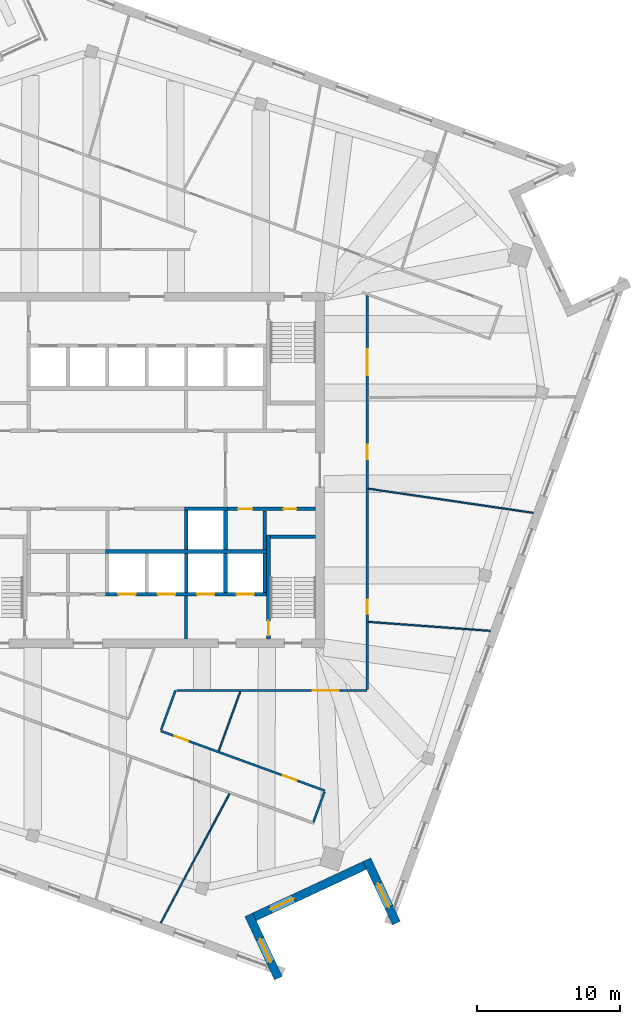
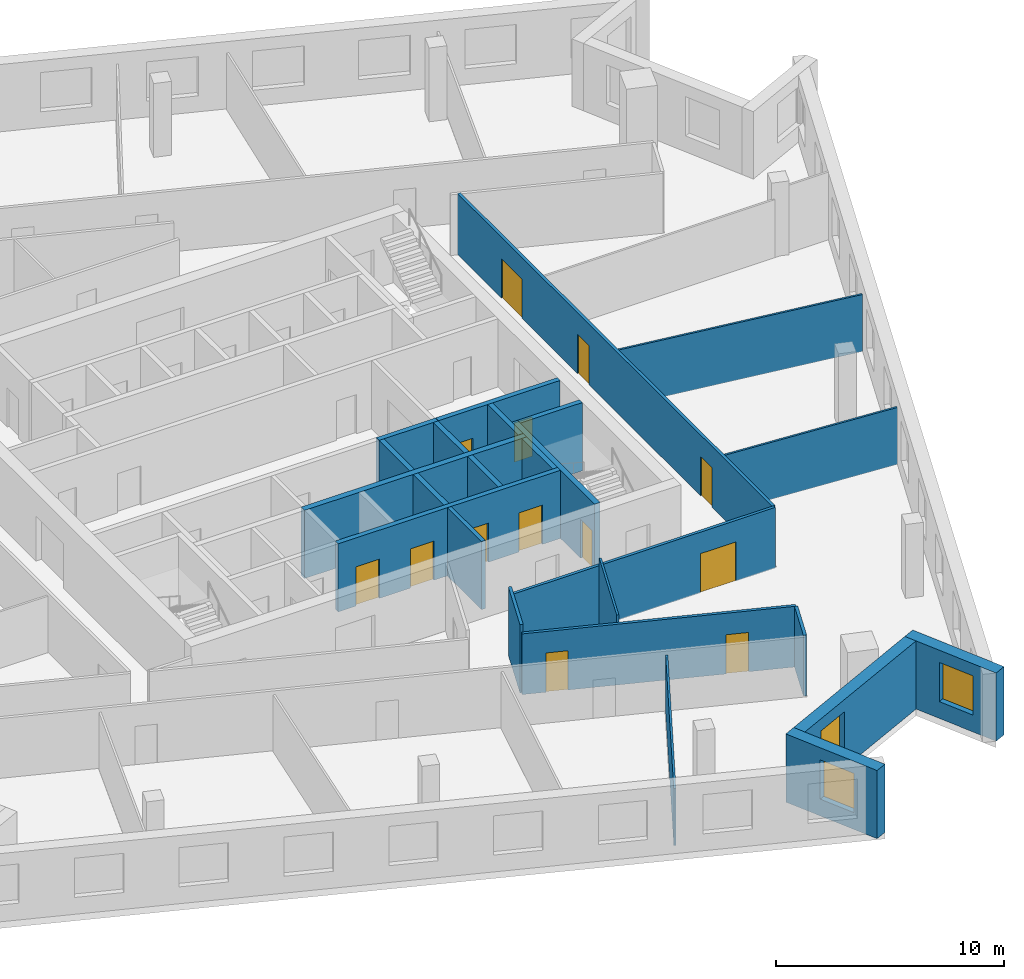
# One storey, part 7 of 13: 25 walls, 13 doors, 3 windows, 16 openings.
"""IFC4 building model written with IfcOpenShell, lengths in metres."""

from ifc_helpers import new_model, si_unit, direction, frame, frame_2d, origin, place, context, subcontext, project, spatial, rectangle, extrude, material, layer, layer_set, type_object, element, fill, save


model = new_model("IFC4")

# Units and contexts
model_context = context("Model", 3, precision=1e-05, world=origin(), true_north=direction((0.0, 1.0)))
body_context = subcontext(model_context, "Body", "Model", "MODEL_VIEW")
ifc_project = project(units=[si_unit("LENGTHUNIT", "METRE"), si_unit("AREAUNIT", "SQUARE_METRE"), si_unit("VOLUMEUNIT", "CUBIC_METRE"), si_unit("PLANEANGLEUNIT", "RADIAN"), si_unit("MASSUNIT", "GRAM", prefix="KILO")], contexts=[model_context])

# Site, building, storey
site_placement = place(None, origin())
site = spatial("IfcSite", under=ifc_project, at=site_placement, CompositionType="ELEMENT")
building_placement = place(site_placement, origin())
building = spatial("IfcBuilding", under=site, at=building_placement, Name="Dilmun Exchange Tower", CompositionType="ELEMENT")
storey_placement = place(building_placement, frame((0.0, 0.0, 308.5)))
storey = spatial("IfcBuildingStorey", under=building, at=storey_placement, Name="L73", CompositionType="ELEMENT", Elevation=308.5)

# Walls
ifc_material_1 = material(Name="Concrete C40/50", Category="concrete")
ifc_layer_1 = layer(ifc_material_1, 0.199951171875)
ifc_layer_set_1 = layer_set([ifc_layer_1], Name="Concrete C40/50")
wall_type_1 = type_object("IfcWallType", Name="Core partition wall 200", PredefinedType="PARTITIONING", material=ifc_layer_set_1)
wall_1_placement = place(storey_placement, frame((2.75, -11.794921875, 0.0), z_axis=(0.0, 0.0, 1.0), x_axis=(0.0, 1.0, 0.0)))
element("IfcWall", 1, at=wall_1_placement, inside=storey, type_object=wall_type_1, Name="L73 core partition wall 02", PredefinedType="PARTITIONING", context=body_context, shape_type="SweptSolid", body=[
    extrude(rectangle(XDim=2.989990234375, YDim=0.199951171875, at=frame_2d((1.4951171875, 0.0))), origin(), (0.0, 0.0, 1.0), 3.64990234375),
])
ifc_layer_2 = layer(ifc_material_1, 0.25)
ifc_layer_set_2 = layer_set([ifc_layer_2], Name="Concrete C40/50")
wall_type_2 = type_object("IfcWallType", Name="Core partition wall 250", PredefinedType="PARTITIONING", material=ifc_layer_set_2)
wall_2_placement = place(storey_placement, frame((8.25, -5.544921875, 0.0), z_axis=(0.0, 0.0, 1.0), x_axis=(0.0, 1.0, 0.0)))
element("IfcWall", 2, at=wall_2_placement, inside=storey, type_object=wall_type_2, Name="L73 core partition wall 09", PredefinedType="PARTITIONING", context=body_context, shape_type="SweptSolid", body=[
    extrude(rectangle(XDim=2.68994140625, YDim=0.25, at=frame_2d((1.344970703125, 0.0))), origin(), (0.0, 0.0, 1.0), 3.64990234375),
])

# Wall, openings, doors
wall_3_placement = place(storey_placement, frame((5.6298828125, -2.72509765625, 0.0), z_axis=(0.0, 0.0, 1.0), x_axis=(1.0, 0.0, 0.0)))
wall_3 = element("IfcWall", 3, at=wall_3_placement, inside=storey, type_object=wall_type_2, Name="L73 core partition wall 11", PredefinedType="PARTITIONING", context=body_context, shape_type="SweptSolid", body=[
    extrude(rectangle(XDim=6.1650390625, YDim=0.25, at=frame_2d((3.08251953125, 0.0))), origin(), (0.0, 0.0, 1.0), 3.64990234375),
])
opening_1_placement = place(wall_3_placement, frame((0.7451171875, 0.0, 0.0)))
opening_1 = element("IfcOpeningElement", 4, at=opening_1_placement, cuts=wall_3, Name="Opening CD4", PredefinedType="OPENING", context=body_context, shape_type="SweptSolid", body=[
    extrude(rectangle(XDim=1.0, YDim=2.10009765625, at=frame_2d((0.5, 1.050048828125))), frame((0.0, 0.135009765625, 0.0), z_axis=(0.0, -1.0, 0.0), x_axis=(1.0, 0.0, 0.0)), (0.0, 0.0, 1.0), 0.27001953125),
])
opening_2_placement = place(wall_3_placement, frame((3.919921875, 0.0, 0.0)))
opening_2 = element("IfcOpeningElement", 5, at=opening_2_placement, cuts=wall_3, Name="Opening CD6", PredefinedType="OPENING", context=body_context, shape_type="SweptSolid", body=[
    extrude(rectangle(XDim=0.89990234375, YDim=2.10009765625, at=frame_2d((0.449951171875, 1.050048828125))), frame((0.0, 0.135009765625, 0.0), z_axis=(0.0, -1.0, 0.0), x_axis=(1.0, 0.0, 0.0)), (0.0, 0.0, 1.0), 0.27001953125),
])
ifc_material_2 = material(Name="Fire-rated steel door set", Category="steel")
door_type_1 = type_object("IfcDoorType", Name="Core room door 1000x2100", OperationType="SINGLE_SWING_LEFT", PredefinedType="DOOR", material=ifc_material_2)
door_1_placement = place(opening_1_placement, origin())
door_1 = element("IfcDoor", 6, at=door_1_placement, inside=storey, type_object=door_type_1, Name="L73 door Cleaners' store", OperationType="SINGLE_SWING_RIGHT", OverallHeight=2.10009765625, OverallWidth=1.0, PredefinedType="DOOR", context=body_context, shape_type="SweptSolid", body=[
    extrude(rectangle(XDim=1.0, YDim=2.10009765625, at=frame_2d((0.5, 1.050048828125))), frame((0.0, 0.02490234375, 0.0), z_axis=(0.0, -1.0, 0.0), x_axis=(1.0, 0.0, 0.0)), (0.0, 0.0, 1.0), 0.050048828125),
])
fill(opening_1, door_1)
door_type_2 = type_object("IfcDoorType", Name="Core room door 900x2100", OperationType="SINGLE_SWING_LEFT", PredefinedType="DOOR", material=ifc_material_2)
door_2_placement = place(opening_2_placement, origin())
door_2 = element("IfcDoor", 7, at=door_2_placement, inside=storey, type_object=door_type_2, Name="L73 door Comms riser", OperationType="SINGLE_SWING_RIGHT", OverallHeight=2.10009765625, OverallWidth=0.89990234375, PredefinedType="DOOR", context=body_context, shape_type="SweptSolid", body=[
    extrude(rectangle(XDim=0.89990234375, YDim=2.10009765625, at=frame_2d((0.449951171875, 1.050048828125))), frame((0.0, 0.02490234375, 0.0), z_axis=(0.0, -1.0, 0.0), x_axis=(1.0, 0.0, 0.0)), (0.0, 0.0, 1.0), 0.050048828125),
])
fill(opening_2, door_2)

ifc_material_3 = material(Name="Corridor wall 150")
ifc_layer_3 = layer(ifc_material_3, 0.14990234375)
ifc_layer_set_3 = layer_set([ifc_layer_3], Name="Corridor wall 150")
wall_type_3 = type_object("IfcWallType", Name="Corridor wall 150", PredefinedType="PARTITIONING", material=ifc_layer_set_3)
wall_4_placement = place(storey_placement, frame((0.97802734375, -18.22998046875, 0.0), z_axis=(0.0, 0.0, 1.0), x_axis=(0.939684094149, -0.34204356916, 0.0)))
wall_4 = element("IfcWall", 8, at=wall_4_placement, inside=storey, type_object=wall_type_3, Name="Corridor wall", PredefinedType="PARTITIONING", context=body_context, shape_type="SweptSolid", body=[
    extrude(rectangle(XDim=12.197509765625, YDim=0.14990234375, at=frame_2d((6.0986328125, 0.0))), origin(), (0.0, 0.0, 1.0), 3.25),
])
opening_3_placement = place(wall_4_placement, frame((1.05029296875, 0.0, 0.0)))
opening_3 = element("IfcOpeningElement", 9, at=opening_3_placement, cuts=wall_4, Name="Opening TF72-D13", PredefinedType="OPENING", context=body_context, shape_type="SweptSolid", body=[
    extrude(rectangle(XDim=1.0, YDim=2.10009765625, at=frame_2d((0.5, 1.050048828125))), frame((0.0, 0.0849609375, 0.0), z_axis=(0.0, -1.0, 0.0), x_axis=(1.0, 0.0, 0.0)), (0.0, 0.0, 1.0), 0.169921875),
])
opening_4_placement = place(wall_4_placement, frame((9.08251953125, 0.0, 0.0)))
opening_4 = element("IfcOpeningElement", 10, at=opening_4_placement, cuts=wall_4, Name="Opening TF72-D16", PredefinedType="OPENING", context=body_context, shape_type="SweptSolid", body=[
    extrude(rectangle(XDim=1.0, YDim=2.10009765625, at=frame_2d((0.5, 1.050048828125))), frame((0.0, 0.0849609375, 0.0), z_axis=(0.0, -1.0, 0.0), x_axis=(1.0, 0.0, 0.0)), (0.0, 0.0, 1.0), 0.169921875),
])
ifc_material_4 = material(Name="Fire door 1000 x 2100")
door_type_3 = type_object("IfcDoorType", Name="Fire door 1000 x 2100", OperationType="NOTDEFINED", PredefinedType="DOOR", material=ifc_material_4)
door_3_placement = place(opening_3_placement, origin())
door_3 = element("IfcDoor", 11, at=door_3_placement, inside=storey, type_object=door_type_3, Name="Door TF72-D13", OperationType="SINGLE_SWING_LEFT", OverallHeight=2.10009765625, OverallWidth=1.0, PredefinedType="DOOR", context=body_context, shape_type="SweptSolid", body=[
    extrude(rectangle(XDim=1.0, YDim=2.10009765625, at=frame_2d((0.5, 1.050048828125))), frame((0.0, 0.02490234375, 0.0), z_axis=(0.0, -1.0, 0.0), x_axis=(1.0, 0.0, 0.0)), (0.0, 0.0, 1.0), 0.050048828125),
])
fill(opening_3, door_3)
door_4_placement = place(opening_4_placement, origin())
door_4 = element("IfcDoor", 12, at=door_4_placement, inside=storey, type_object=door_type_3, Name="Door TF72-D16", OperationType="SINGLE_SWING_RIGHT", OverallHeight=2.10009765625, OverallWidth=1.0, PredefinedType="DOOR", context=body_context, shape_type="SweptSolid", body=[
    extrude(rectangle(XDim=1.0, YDim=2.10009765625, at=frame_2d((0.5, 1.050048828125))), frame((0.0, 0.02490234375, 0.0), z_axis=(0.0, -1.0, 0.0), x_axis=(1.0, 0.0, 0.0)), (0.0, 0.0, 1.0), 0.050048828125),
])
fill(opening_4, door_4)

# Wall
wall_5_placement = place(storey_placement, frame((1.003662109375, -18.159423828125, 0.0), z_axis=(0.0, 0.0, 1.0), x_axis=(0.342023405877, 0.939691433308, 0.0)))
element("IfcWall", 13, at=wall_5_placement, inside=storey, type_object=wall_type_3, Name="Corridor wall", PredefinedType="PARTITIONING", context=body_context, shape_type="SweptSolid", body=[
    extrude(rectangle(XDim=2.9365234375, YDim=0.14990234375, at=frame_2d((1.46826171875, 0.0))), origin(), (0.0, 0.0, 1.0), 3.64990234375),
])

# Wall, opening, door
wall_6_placement = place(storey_placement, frame((2.114990234375, -15.39990234375, 0.0), z_axis=(0.0, 0.0, 1.0), x_axis=(1.0, 0.0, 0.0)))
wall_6 = element("IfcWall", 14, at=wall_6_placement, inside=storey, type_object=wall_type_3, Name="Corridor wall", PredefinedType="PARTITIONING", context=body_context, shape_type="SweptSolid", body=[
    extrude(rectangle(XDim=13.284912109375, YDim=0.14990234375, at=frame_2d((6.642578125, 0.0))), origin(), (0.0, 0.0, 1.0), 3.25),
])
opening_5_placement = place(wall_6_placement, frame((9.485595703125, 0.0, 0.0)))
opening_5 = element("IfcOpeningElement", 15, at=opening_5_placement, cuts=wall_6, Name="Opening TF72-D15", PredefinedType="OPENING", context=body_context, shape_type="SweptSolid", body=[
    extrude(rectangle(XDim=1.800048828125, YDim=2.10009765625, at=frame_2d((0.89990234375, 1.050048828125))), frame((0.0, 0.0849609375, 0.0), z_axis=(0.0, -1.0, 0.0), x_axis=(1.0, 0.0, 0.0)), (0.0, 0.0, 1.0), 0.169921875),
])
ifc_material_5 = material(Name="Fire door pair 1800 x 2100")
door_type_4 = type_object("IfcDoorType", Name="Fire door pair 1800 x 2100", OperationType="NOTDEFINED", PredefinedType="DOOR", material=ifc_material_5)
door_5_placement = place(opening_5_placement, frame((1.800048828125, 0.0, 0.0), z_axis=(0.0, 0.0, 1.0), x_axis=(-1.0, 0.0, 0.0)))
door_5 = element("IfcDoor", 16, at=door_5_placement, inside=storey, type_object=door_type_4, Name="Door TF72-D15", OperationType="DOUBLE_DOOR_SINGLE_SWING", OverallHeight=2.10009765625, OverallWidth=1.800048828125, PredefinedType="DOOR", context=body_context, shape_type="SweptSolid", body=[
    extrude(rectangle(XDim=1.800048828125, YDim=2.10009765625, at=frame_2d((0.89990234375, 1.050048828125))), frame((0.0, 0.02490234375, 0.0), z_axis=(0.0, -1.0, 0.0), x_axis=(1.0, 0.0, 0.0)), (0.0, 0.0, 1.0), 0.050048828125),
])
fill(opening_5, door_5)

# Wall
wall_7_placement = place(storey_placement, frame((11.644775390625, -24.58642578125, 0.0), z_axis=(0.0, 0.0, 1.0), x_axis=(0.342056723843, 0.93967930576, 0.0)))
element("IfcWall", 17, at=wall_7_placement, inside=storey, type_object=wall_type_3, Name="Corridor wall", PredefinedType="PARTITIONING", context=body_context, shape_type="SweptSolid", body=[
    extrude(rectangle(XDim=2.249755859375, YDim=0.14990234375, at=frame_2d((1.125, 0.0))), origin(), (0.0, 0.0, 1.0), 3.25),
])

# Wall, openings, doors
wall_8_placement = place(storey_placement, frame((15.39990234375, -15.324951171875, 0.0), z_axis=(0.0, 0.0, 1.0), x_axis=(0.0, 1.0, 0.0)))
wall_8 = element("IfcWall", 18, at=wall_8_placement, inside=storey, type_object=wall_type_3, Name="Corridor wall", PredefinedType="PARTITIONING", context=body_context, shape_type="SweptSolid", body=[
    extrude(rectangle(XDim=27.593017578125, YDim=0.14990234375, at=frame_2d((13.79638671875, 0.0))), origin(), (0.0, 0.0, 1.0), 3.25),
])
opening_6_placement = place(wall_8_placement, frame((5.266845703125, 0.0, 0.0)))
opening_6 = element("IfcOpeningElement", 19, at=opening_6_placement, cuts=wall_8, Name="Opening TF72-D18", PredefinedType="OPENING", context=body_context, shape_type="SweptSolid", body=[
    extrude(rectangle(XDim=1.0, YDim=2.10009765625, at=frame_2d((0.5, 1.050048828125))), frame((0.0, 0.0849609375, 0.0), z_axis=(0.0, -1.0, 0.0), x_axis=(1.0, 0.0, 0.0)), (0.0, 0.0, 1.0), 0.169921875),
])
opening_7_placement = place(wall_8_placement, frame((16.072021484375, 0.0, 0.0)))
opening_7 = element("IfcOpeningElement", 20, at=opening_7_placement, cuts=wall_8, Name="Opening TF72-D19", PredefinedType="OPENING", context=body_context, shape_type="SweptSolid", body=[
    extrude(rectangle(XDim=1.0, YDim=2.10009765625, at=frame_2d((0.5, 1.050048828125))), frame((0.0, 0.0849609375, 0.0), z_axis=(0.0, -1.0, 0.0), x_axis=(1.0, 0.0, 0.0)), (0.0, 0.0, 1.0), 0.169921875),
])
opening_8_placement = place(wall_8_placement, frame((21.94384765625, 0.0, 0.0)))
opening_8 = element("IfcOpeningElement", 21, at=opening_8_placement, cuts=wall_8, Name="Opening TF72-D20", PredefinedType="OPENING", context=body_context, shape_type="SweptSolid", body=[
    extrude(rectangle(XDim=1.800048828125, YDim=2.10009765625, at=frame_2d((0.89990234375, 1.050048828125))), frame((0.0, 0.0849609375, 0.0), z_axis=(0.0, -1.0, 0.0), x_axis=(1.0, 0.0, 0.0)), (0.0, 0.0, 1.0), 0.169921875),
])
door_6_placement = place(opening_6_placement, frame((1.0, 0.0, 0.0), z_axis=(0.0, 0.0, 1.0), x_axis=(-1.0, 0.0, 0.0)))
door_6 = element("IfcDoor", 22, at=door_6_placement, inside=storey, type_object=door_type_3, Name="Door TF72-D18", OperationType="SINGLE_SWING_RIGHT", OverallHeight=2.10009765625, OverallWidth=1.0, PredefinedType="DOOR", context=body_context, shape_type="SweptSolid", body=[
    extrude(rectangle(XDim=1.0, YDim=2.10009765625, at=frame_2d((0.5, 1.050048828125))), frame((0.0, 0.02490234375, 0.0), z_axis=(0.0, -1.0, 0.0), x_axis=(1.0, 0.0, 0.0)), (0.0, 0.0, 1.0), 0.050048828125),
])
fill(opening_6, door_6)
door_7_placement = place(opening_7_placement, frame((1.0, 0.0, 0.0), z_axis=(0.0, 0.0, 1.0), x_axis=(-1.0, 0.0, 0.0)))
door_7 = element("IfcDoor", 23, at=door_7_placement, inside=storey, type_object=door_type_3, Name="Door TF72-D19", OperationType="SINGLE_SWING_RIGHT", OverallHeight=2.10009765625, OverallWidth=1.0, PredefinedType="DOOR", context=body_context, shape_type="SweptSolid", body=[
    extrude(rectangle(XDim=1.0, YDim=2.10009765625, at=frame_2d((0.5, 1.050048828125))), frame((0.0, 0.02490234375, 0.0), z_axis=(0.0, -1.0, 0.0), x_axis=(1.0, 0.0, 0.0)), (0.0, 0.0, 1.0), 0.050048828125),
])
fill(opening_7, door_7)
door_8_placement = place(opening_8_placement, frame((1.800048828125, 0.0, 0.0), z_axis=(0.0, 0.0, 1.0), x_axis=(-1.0, 0.0, 0.0)))
door_8 = element("IfcDoor", 24, at=door_8_placement, inside=storey, type_object=door_type_4, Name="Door TF72-D20", OperationType="DOUBLE_DOOR_SINGLE_SWING", OverallHeight=2.10009765625, OverallWidth=1.800048828125, PredefinedType="DOOR", context=body_context, shape_type="SweptSolid", body=[
    extrude(rectangle(XDim=1.800048828125, YDim=2.10009765625, at=frame_2d((0.89990234375, 1.050048828125))), frame((0.0, 0.02490234375, 0.0), z_axis=(0.0, -1.0, 0.0), x_axis=(1.0, 0.0, 0.0)), (0.0, 0.0, 1.0), 0.050048828125),
])
fill(opening_8, door_8)

# Walls
ifc_layer_4 = layer(ifc_material_1, 0.300048828125)
ifc_layer_set_4 = layer_set([ifc_layer_4], Name="Concrete C40/50")
wall_type_4 = type_object("IfcWallType", Name="Lift shaft shared wall 300", PredefinedType="SOLIDWALL", material=ifc_layer_set_4)
wall_9_placement = place(storey_placement, frame((-2.875, -5.699951171875, 0.0), z_axis=(0.0, 0.0, 1.0), x_axis=(1.0, 0.0, 0.0)))
element("IfcWall", 25, at=wall_9_placement, inside=storey, type_object=wall_type_4, Name="L73 lift shaft rear wall S", PredefinedType="SOLIDWALL", context=body_context, shape_type="SweptSolid", body=[
    extrude(rectangle(XDim=11.25, YDim=0.300048828125, at=frame_2d((5.625, 0.0))), origin(), (0.0, 0.0, 1.0), 3.64990234375),
])
ifc_layer_5 = layer(ifc_material_1, 0.25)
ifc_layer_set_5 = layer_set([ifc_layer_5], Name="Concrete C40/50")
wall_type_5 = type_object("IfcWallType", Name="Lift shaft wall 250", PredefinedType="SOLIDWALL", material=ifc_layer_set_5)
wall_10_placement = place(storey_placement, frame((2.625, -2.72509765625, 0.0), z_axis=(0.0, 0.0, 1.0), x_axis=(1.0, 0.0, 0.0)))
element("IfcWall", 26, at=wall_10_placement, inside=storey, type_object=wall_type_5, Name="L73 lift shaft front wall S1", PredefinedType="SOLIDWALL", context=body_context, shape_type="SweptSolid", body=[
    extrude(rectangle(XDim=3.0, YDim=0.25, at=frame_2d((1.5, 0.0))), origin(), (0.0, 0.0, 1.0), 3.64990234375),
])
for number, where, z_axis, x_axis, name in (
    (27, (2.75, -5.550048828125, 0.0), (0.0, 0.0, 1.0), (0.0, 1.0, 0.0), "L73 lift shaft divider S14"),
    (28, (5.5, -5.550048828125, 0.0), (0.0, 0.0, 1.0), (0.0, 1.0, 0.0), "L73 lift shaft divider S15"),
):
    element("IfcWall", number, at=place(storey_placement, frame(where, z_axis=z_axis, x_axis=x_axis)), inside=storey, type_object=wall_type_5, Name=name, PredefinedType="SOLIDWALL", context=body_context, shape_type="SweptSolid", body=[
        extrude(rectangle(XDim=2.699951171875, YDim=0.25, at=frame_2d((1.35009765625, 0.0))), origin(), (0.0, 0.0, 1.0), 3.64990234375),
    ])

# Wall, openings, doors
wall_11_placement = place(storey_placement, frame((-2.875, -8.675048828125, 0.0), z_axis=(0.0, 0.0, 1.0), x_axis=(1.0, 0.0, 0.0)))
wall_11 = element("IfcWall", 29, at=wall_11_placement, inside=storey, type_object=wall_type_5, Name="L73 lift shaft front wall S2", PredefinedType="SOLIDWALL", context=body_context, shape_type="SweptSolid", body=[
    extrude(rectangle(XDim=11.25, YDim=0.25, at=frame_2d((5.625, 0.0))), origin(), (0.0, 0.0, 1.0), 3.64990234375),
])
opening_9_placement = place(wall_11_placement, frame((0.89990234375, 0.0, 0.0)))
opening_9 = element("IfcOpeningElement", 30, at=opening_9_placement, cuts=wall_11, Name="Opening LD", PredefinedType="OPENING", context=body_context, shape_type="SweptSolid", body=[
    extrude(rectangle(XDim=1.199951171875, YDim=2.10009765625, at=frame_2d((0.60009765625, 1.050048828125))), frame((0.0, 0.135009765625, 0.0), z_axis=(0.0, -1.0, 0.0), x_axis=(1.0, 0.0, 0.0)), (0.0, 0.0, 1.0), 0.27001953125),
])
opening_10_placement = place(wall_11_placement, frame((3.64990234375, 0.0, 0.0)))
opening_10 = element("IfcOpeningElement", 31, at=opening_10_placement, cuts=wall_11, Name="Opening LD", PredefinedType="OPENING", context=body_context, shape_type="SweptSolid", body=[
    extrude(rectangle(XDim=1.199951171875, YDim=2.10009765625, at=frame_2d((0.60009765625, 1.050048828125))), frame((0.0, 0.135009765625, 0.0), z_axis=(0.0, -1.0, 0.0), x_axis=(1.0, 0.0, 0.0)), (0.0, 0.0, 1.0), 0.27001953125),
])
opening_11_placement = place(wall_11_placement, frame((6.39990234375, 0.0, 0.0)))
opening_11 = element("IfcOpeningElement", 32, at=opening_11_placement, cuts=wall_11, Name="Opening LD", PredefinedType="OPENING", context=body_context, shape_type="SweptSolid", body=[
    extrude(rectangle(XDim=1.199951171875, YDim=2.10009765625, at=frame_2d((0.60009765625, 1.050048828125))), frame((0.0, 0.135009765625, 0.0), z_axis=(0.0, -1.0, 0.0), x_axis=(1.0, 0.0, 0.0)), (0.0, 0.0, 1.0), 0.27001953125),
])
opening_12_placement = place(wall_11_placement, frame((9.14990234375, 0.0, 0.0)))
opening_12 = element("IfcOpeningElement", 33, at=opening_12_placement, cuts=wall_11, Name="Opening LD", PredefinedType="OPENING", context=body_context, shape_type="SweptSolid", body=[
    extrude(rectangle(XDim=1.199951171875, YDim=2.10009765625, at=frame_2d((0.60009765625, 1.050048828125))), frame((0.0, 0.135009765625, 0.0), z_axis=(0.0, -1.0, 0.0), x_axis=(1.0, 0.0, 0.0)), (0.0, 0.0, 1.0), 0.27001953125),
])
door_type_5 = type_object("IfcDoorType", Name="Lift landing door 1200x2100", OperationType="DOUBLE_DOOR_SLIDING", PredefinedType="DOOR", material=ifc_material_2)
door_9_placement = place(opening_9_placement, origin())
door_9 = element("IfcDoor", 34, at=door_9_placement, inside=storey, type_object=door_type_5, Name="L73 landing door SV1", OperationType="DOUBLE_DOOR_SLIDING", OverallHeight=2.10009765625, OverallWidth=1.199951171875, PredefinedType="DOOR", context=body_context, shape_type="SweptSolid", body=[
    extrude(rectangle(XDim=1.199951171875, YDim=2.10009765625, at=frame_2d((0.60009765625, 1.050048828125))), frame((0.0, 0.02490234375, 0.0), z_axis=(0.0, -1.0, 0.0), x_axis=(1.0, 0.0, 0.0)), (0.0, 0.0, 1.0), 0.050048828125),
])
fill(opening_9, door_9)
door_10_placement = place(opening_10_placement, origin())
door_10 = element("IfcDoor", 35, at=door_10_placement, inside=storey, type_object=door_type_5, Name="L73 landing door SV2", OperationType="DOUBLE_DOOR_SLIDING", OverallHeight=2.10009765625, OverallWidth=1.199951171875, PredefinedType="DOOR", context=body_context, shape_type="SweptSolid", body=[
    extrude(rectangle(XDim=1.199951171875, YDim=2.10009765625, at=frame_2d((0.60009765625, 1.050048828125))), frame((0.0, 0.02490234375, 0.0), z_axis=(0.0, -1.0, 0.0), x_axis=(1.0, 0.0, 0.0)), (0.0, 0.0, 1.0), 0.050048828125),
])
fill(opening_10, door_10)
door_11_placement = place(opening_11_placement, origin())
door_11 = element("IfcDoor", 36, at=door_11_placement, inside=storey, type_object=door_type_5, Name="L73 landing door FF1", OperationType="DOUBLE_DOOR_SLIDING", OverallHeight=2.10009765625, OverallWidth=1.199951171875, PredefinedType="DOOR", context=body_context, shape_type="SweptSolid", body=[
    extrude(rectangle(XDim=1.199951171875, YDim=2.10009765625, at=frame_2d((0.60009765625, 1.050048828125))), frame((0.0, 0.02490234375, 0.0), z_axis=(0.0, -1.0, 0.0), x_axis=(1.0, 0.0, 0.0)), (0.0, 0.0, 1.0), 0.050048828125),
])
fill(opening_11, door_11)
door_12_placement = place(opening_12_placement, origin())
door_12 = element("IfcDoor", 37, at=door_12_placement, inside=storey, type_object=door_type_5, Name="L73 landing door FF2", OperationType="DOUBLE_DOOR_SLIDING", OverallHeight=2.10009765625, OverallWidth=1.199951171875, PredefinedType="DOOR", context=body_context, shape_type="SweptSolid", body=[
    extrude(rectangle(XDim=1.199951171875, YDim=2.10009765625, at=frame_2d((0.60009765625, 1.050048828125))), frame((0.0, 0.02490234375, 0.0), z_axis=(0.0, -1.0, 0.0), x_axis=(1.0, 0.0, 0.0)), (0.0, 0.0, 1.0), 0.050048828125),
])
fill(opening_12, door_12)

# Walls
for number, where, z_axis, x_axis, name in (
    (38, (2.75, -8.550048828125, 0.0), (0.0, 0.0, 1.0), (0.0, 1.0, 0.0), "L73 lift shaft divider S24"),
    (39, (5.5, -8.550048828125, 0.0), (0.0, 0.0, 1.0), (0.0, 1.0, 0.0), "L73 lift shaft divider S25"),
    (40, (8.25, -8.550048828125, 0.0), (0.0, 0.0, 1.0), (0.0, 1.0, 0.0), "L73 lift shaft divider S26"),
):
    element("IfcWall", number, at=place(storey_placement, frame(where, z_axis=z_axis, x_axis=x_axis)), inside=storey, type_object=wall_type_5, Name=name, PredefinedType="SOLIDWALL", context=body_context, shape_type="SweptSolid", body=[
        extrude(rectangle(XDim=2.699951171875, YDim=0.25, at=frame_2d((1.35009765625, 0.0))), origin(), (0.0, 0.0, 1.0), 3.64990234375),
    ])
ifc_material_6 = material(Name="Partition 100")
ifc_layer_6 = layer(ifc_material_6, 0.10009765625)
ifc_layer_set_6 = layer_set([ifc_layer_6], Name="Partition 100")
wall_type_6 = type_object("IfcWallType", Name="Partition 100", PredefinedType="PARTITIONING", material=ifc_layer_set_6)
wall_12_placement = place(storey_placement, frame((0.981689453125, -31.641845703125, 0.0), z_axis=(0.0, 0.0, 1.0), x_axis=(0.469538881217, 0.882911795722, 0.0)))
element("IfcWall", 41, at=wall_12_placement, inside=storey, type_object=wall_type_6, Name="Partition", PredefinedType="PARTITIONING", context=body_context, shape_type="SweptSolid", body=[
    extrude(rectangle(XDim=10.21923828125, YDim=0.10009765625, at=frame_2d((5.109619140625, 0.0))), origin(), (0.0, 0.0, 1.0), 3.050048828125),
])
wall_13_placement = place(storey_placement, frame((5.027587890625, -19.62353515625, 0.0), z_axis=(0.0, 0.0, 1.0), x_axis=(0.342064062603, 0.939676634314, 0.0)))
element("IfcWall", 42, at=wall_13_placement, inside=storey, type_object=wall_type_6, Name="Partition", PredefinedType="PARTITIONING", context=body_context, shape_type="SweptSolid", body=[
    extrude(rectangle(XDim=4.396484375, YDim=0.10009765625, at=frame_2d((2.1982421875, 0.0))), origin(), (0.0, 0.0, 1.0), 3.64990234375),
])
wall_14_placement = place(storey_placement, frame((15.478759765625, -10.61083984375, 0.0), z_axis=(0.0, 0.0, 1.0), x_axis=(0.997294736008, -0.073506527135, 0.0)))
element("IfcWall", 43, at=wall_14_placement, inside=storey, type_object=wall_type_6, Name="Partition", PredefinedType="PARTITIONING", context=body_context, shape_type="SweptSolid", body=[
    extrude(rectangle(XDim=8.5458984375, YDim=0.10009765625, at=frame_2d((4.27294921875, 0.0))), origin(), (0.0, 0.0, 1.0), 3.050048828125),
])
wall_15_placement = place(storey_placement, frame((15.482421875, -1.30908203125, 0.0), z_axis=(0.0, 0.0, 1.0), x_axis=(0.989423142791, -0.145058072884, 0.0)))
element("IfcWall", 44, at=wall_15_placement, inside=storey, type_object=wall_type_6, Name="Partition", PredefinedType="PARTITIONING", context=body_context, shape_type="SweptSolid", body=[
    extrude(rectangle(XDim=11.6416015625, YDim=0.10009765625, at=frame_2d((5.82080078125, 0.0))), origin(), (0.0, 0.0, 1.0), 3.050048828125),
])

# Wall, opening, window
ifc_material_7 = material(Name="Precast concrete C50/60", Category="concrete")
ifc_layer_7 = layer(ifc_material_7, 0.60009765625)
ifc_layer_set_7 = layer_set([ifc_layer_7], Name="Precast concrete C50/60")
wall_type_7 = type_object("IfcWallType", Name="Precast stone-clad wall 600", PredefinedType="STANDARD", material=ifc_layer_set_7)
wall_16_placement = place(storey_placement, frame((9.19140625, -35.496337890625, 0.0), z_axis=(0.0, 0.0, 1.0), x_axis=(-0.422620080618, 0.906306938878, 0.0)))
wall_16 = element("IfcWall", 45, at=wall_16_placement, inside=storey, type_object=wall_type_7, Name="Facade wall L73-08", PredefinedType="STANDARD", context=body_context, shape_type="SweptSolid", body=[
    extrude(rectangle(XDim=4.885498046875, YDim=0.60009765625, at=frame_2d((2.44287109375, 0.0))), origin(), (0.0, 0.0, 1.0), 3.64990234375),
])
opening_13_placement = place(wall_16_placement, frame((1.242919921875, 0.0, 0.89990234375)))
opening_13 = element("IfcOpeningElement", 46, at=opening_13_placement, cuts=wall_16, Name="Opening W180-210", PredefinedType="OPENING", context=body_context, shape_type="SweptSolid", body=[
    extrude(rectangle(XDim=1.800048828125, YDim=2.10009765625, at=frame_2d((0.89990234375, 1.050048828125))), frame((0.0, 0.31005859375, 0.0), z_axis=(0.0, -1.0, 0.0), x_axis=(1.0, 0.0, 0.0)), (0.0, 0.0, 1.0), 0.6201171875),
])
ifc_material_8 = material(Name="Clear low-emissivity glass in aluminium frame", Category="aluminium")
window_type = type_object("IfcWindowType", Name="Punched window 1800 x 2100", PartitioningType="DOUBLE_PANEL_VERTICAL", PredefinedType="WINDOW", material=ifc_material_8)
window_1_placement = place(opening_13_placement, origin())
window_1 = element("IfcWindow", 47, at=window_1_placement, inside=storey, type_object=window_type, Name="Window 9.1", OverallHeight=2.10009765625, OverallWidth=1.800048828125, PartitioningType="SINGLE_PANEL", PredefinedType="WINDOW", context=body_context, shape_type="SweptSolid", body=[
    extrude(rectangle(XDim=1.800048828125, YDim=2.10009765625, at=frame_2d((0.89990234375, 1.050048828125))), frame((0.0, 0.030029296875, 0.0), z_axis=(0.0, -1.0, 0.0), x_axis=(1.0, 0.0, 0.0)), (0.0, 0.0, 1.0), 0.06005859375),
])
fill(opening_13, window_1)

wall_17_placement = place(storey_placement, frame((7.525146484375, -31.213623046875, 0.0), z_axis=(0.0, 0.0, 1.0), x_axis=(0.906317378365, 0.42259769246, 0.0)))
wall_17 = element("IfcWall", 48, at=wall_17_placement, inside=storey, type_object=wall_type_7, Name="Facade wall L73-09", PredefinedType="STANDARD", context=body_context, shape_type="SweptSolid", body=[
    extrude(rectangle(XDim=8.5, YDim=0.60009765625, at=frame_2d((4.25, 0.0))), origin(), (0.0, 0.0, 1.0), 3.64990234375),
])
opening_14_placement = place(wall_17_placement, frame((1.22509765625, 0.0, 0.89990234375)))
opening_14 = element("IfcOpeningElement", 49, at=opening_14_placement, cuts=wall_17, Name="Opening W180-210", PredefinedType="OPENING", context=body_context, shape_type="SweptSolid", body=[
    extrude(rectangle(XDim=1.800048828125, YDim=2.10009765625, at=frame_2d((0.89990234375, 1.050048828125))), frame((0.0, 0.31005859375, 0.0), z_axis=(0.0, -1.0, 0.0), x_axis=(1.0, 0.0, 0.0)), (0.0, 0.0, 1.0), 0.6201171875),
])
window_2_placement = place(opening_14_placement, origin())
window_2 = element("IfcWindow", 50, at=window_2_placement, inside=storey, type_object=window_type, Name="Window 10.1", OverallHeight=2.10009765625, OverallWidth=1.800048828125, PartitioningType="SINGLE_PANEL", PredefinedType="WINDOW", context=body_context, shape_type="SweptSolid", body=[
    extrude(rectangle(XDim=1.800048828125, YDim=2.10009765625, at=frame_2d((0.89990234375, 1.050048828125))), frame((0.0, 0.030029296875, 0.0), z_axis=(0.0, -1.0, 0.0), x_axis=(1.0, 0.0, 0.0)), (0.0, 0.0, 1.0), 0.06005859375),
])
fill(opening_14, window_2)

wall_18_placement = place(storey_placement, frame((15.3740234375, -27.222900390625, 0.0), z_axis=(0.0, 0.0, 1.0), x_axis=(0.422620080618, -0.906306938878, 0.0)))
wall_18 = element("IfcWall", 51, at=wall_18_placement, inside=storey, type_object=wall_type_7, Name="Facade wall L73-10", PredefinedType="STANDARD", context=body_context, shape_type="SweptSolid", body=[
    extrude(rectangle(XDim=4.885498046875, YDim=0.60009765625, at=frame_2d((2.44287109375, 0.0))), origin(), (0.0, 0.0, 1.0), 3.64990234375),
])
opening_15_placement = place(wall_18_placement, frame((1.8427734375, 0.0, 0.89990234375)))
opening_15 = element("IfcOpeningElement", 52, at=opening_15_placement, cuts=wall_18, Name="Opening W180-210", PredefinedType="OPENING", context=body_context, shape_type="SweptSolid", body=[
    extrude(rectangle(XDim=1.800048828125, YDim=2.10009765625, at=frame_2d((0.89990234375, 1.050048828125))), frame((0.0, 0.31005859375, 0.0), z_axis=(0.0, -1.0, 0.0), x_axis=(1.0, 0.0, 0.0)), (0.0, 0.0, 1.0), 0.6201171875),
])
window_3_placement = place(opening_15_placement, origin())
window_3 = element("IfcWindow", 53, at=window_3_placement, inside=storey, type_object=window_type, Name="Window 11.1", OverallHeight=2.10009765625, OverallWidth=1.800048828125, PartitioningType="SINGLE_PANEL", PredefinedType="WINDOW", context=body_context, shape_type="SweptSolid", body=[
    extrude(rectangle(XDim=1.800048828125, YDim=2.10009765625, at=frame_2d((0.89990234375, 1.050048828125))), frame((0.0, 0.030029296875, 0.0), z_axis=(0.0, -1.0, 0.0), x_axis=(1.0, 0.0, 0.0)), (0.0, 0.0, 1.0), 0.06005859375),
])
fill(opening_15, window_3)

# Wall
ifc_layer_8 = layer(ifc_material_1, 0.25)
ifc_layer_set_8 = layer_set([ifc_layer_8], Name="Concrete C40/50")
wall_type_8 = type_object("IfcWallType", Name="Stair end wall 250", PredefinedType="SOLIDWALL", material=ifc_layer_set_8)
wall_19_placement = place(storey_placement, frame((8.64990234375, -4.675048828125, 0.0), z_axis=(0.0, 0.0, 1.0), x_axis=(1.0, 0.0, 0.0)))
element("IfcWall", 54, at=wall_19_placement, inside=storey, type_object=wall_type_8, Name="L73 ST3 far wall", PredefinedType="SOLIDWALL", context=body_context, shape_type="SweptSolid", body=[
    extrude(rectangle(XDim=3.150146484375, YDim=0.25, at=frame_2d((1.5751953125, 0.0))), origin(), (0.0, 0.0, 1.0), 3.64990234375),
])

# Wall, opening, door
ifc_layer_9 = layer(ifc_material_1, 0.27490234375)
ifc_layer_set_9 = layer_set([ifc_layer_9], Name="Concrete C40/50")
wall_type_9 = type_object("IfcWallType", Name="Stair wall 275", PredefinedType="SOLIDWALL", material=ifc_layer_set_9)
wall_20_placement = place(storey_placement, frame((8.512451171875, -4.550048828125, 0.0), z_axis=(0.0, 0.0, 1.0), x_axis=(0.0, -1.0, 0.0)))
wall_20 = element("IfcWall", 55, at=wall_20_placement, inside=storey, type_object=wall_type_9, Name="L73 ST3 wall to lift block", PredefinedType="SOLIDWALL", context=body_context, shape_type="SweptSolid", body=[
    extrude(rectangle(XDim=7.25, YDim=0.27490234375, at=frame_2d((3.625, 0.0))), origin(), (0.0, 0.0, 1.0), 3.64990234375),
])
opening_16_placement = place(wall_20_placement, frame((6.0, 0.0, 0.0)))
opening_16 = element("IfcOpeningElement", 56, at=opening_16_placement, cuts=wall_20, Name="Opening CD4", PredefinedType="OPENING", context=body_context, shape_type="SweptSolid", body=[
    extrude(rectangle(XDim=1.0, YDim=2.10009765625, at=frame_2d((0.5, 1.050048828125))), frame((0.0, 0.1474609375, 0.0), z_axis=(0.0, -1.0, 0.0), x_axis=(1.0, 0.0, 0.0)), (0.0, 0.0, 1.0), 0.294921875),
])
door_13_placement = place(opening_16_placement, origin())
door_13 = element("IfcDoor", 57, at=door_13_placement, inside=storey, type_object=door_type_1, Name="L73 door ST3 from lobby", OperationType="SINGLE_SWING_LEFT", OverallHeight=2.10009765625, OverallWidth=1.0, PredefinedType="DOOR", context=body_context, shape_type="SweptSolid", body=[
    extrude(rectangle(XDim=1.0, YDim=2.10009765625, at=frame_2d((0.5, 1.050048828125))), frame((0.0, 0.02490234375, 0.0), z_axis=(0.0, -1.0, 0.0), x_axis=(1.0, 0.0, 0.0)), (0.0, 0.0, 1.0), 0.050048828125),
])
fill(opening_16, door_13)

save(model, "model.ifc")
